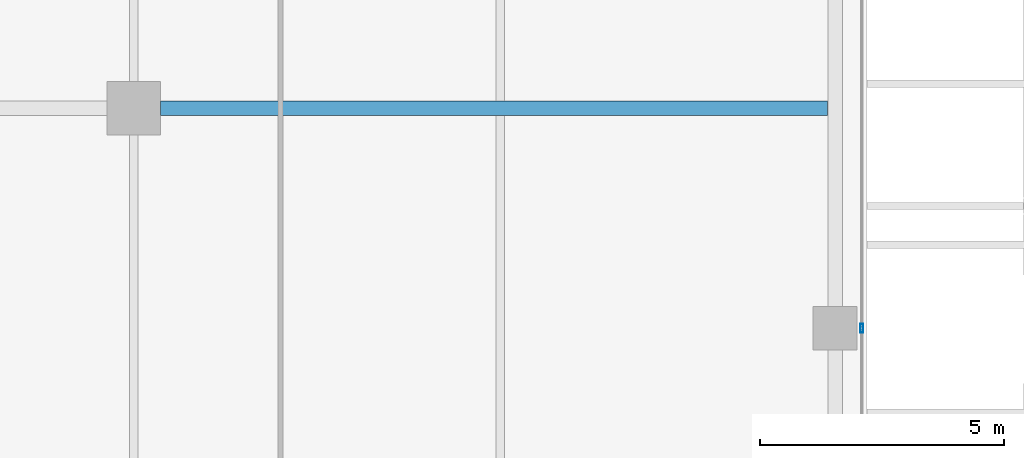
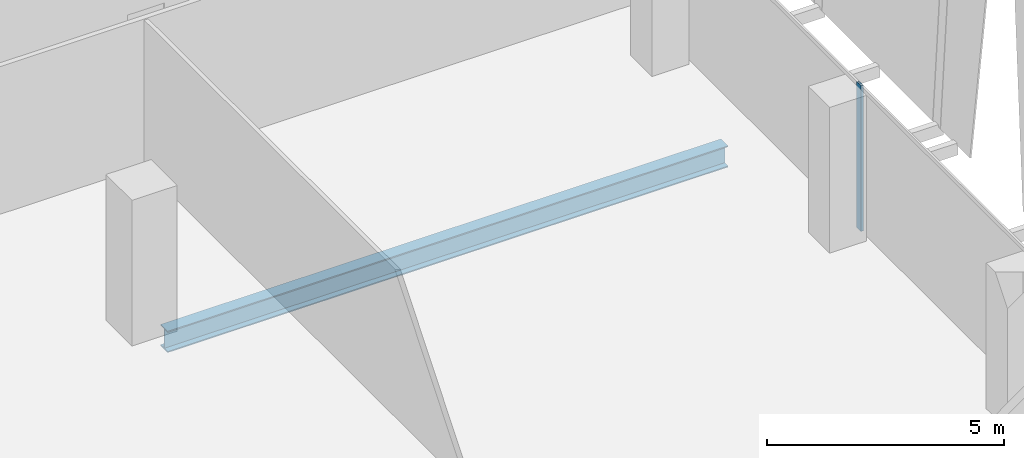
# One storey, part 12 of 35: 1 beam, 1 member, 1 element without a shape of its own.
"""IFC4 building model written with IfcOpenShell, lengths in metres."""

from ifc_helpers import new_model, si_unit, direction, frame, origin, origin_2d, place, context, subcontext, project, spatial, hollow_rectangle, i_section, extrude, source, transform, mapped, material, material_profile, profile_set, type_object, element, aggregate, save


model = new_model("IFC4")

# Units and contexts
model_context = context("Model", 3, precision=1e-05, world=origin(), true_north=direction((0.0, 1.0)))
body_context = subcontext(model_context, "Body", "Model", "MODEL_VIEW")
ifc_project = project(units=[si_unit("LENGTHUNIT", "METRE"), si_unit("AREAUNIT", "SQUARE_METRE"), si_unit("VOLUMEUNIT", "CUBIC_METRE"), si_unit("PLANEANGLEUNIT", "RADIAN"), si_unit("MASSUNIT", "GRAM", prefix="KILO")], contexts=[model_context])

# Site, building, storey
site_placement = place(None, origin())
site = spatial("IfcSite", under=ifc_project, at=site_placement, CompositionType="ELEMENT")
building_placement = place(site_placement, origin())
building = spatial("IfcBuilding", under=site, at=building_placement, Name="Khomas Fold Tower", CompositionType="ELEMENT")
storey_placement = place(building_placement, frame((0.0, 0.0, 266.199951171875)))
storey = spatial("IfcBuildingStorey", under=building, at=storey_placement, Name="L60", CompositionType="ELEMENT", Elevation=266.199951171875)

# Beam
ifc_material_1 = material(Name="Steel S355", Category="steel")
ifc_material_profile_1 = material_profile(ifc_material_1, i_section(OverallWidth=0.300048828125, OverallDepth=0.550048828125, WebThickness=0.014892578125, FlangeThickness=0.029052734375, at=origin_2d()), Name="HE 550 B")
ifc_profile_set_1 = profile_set([ifc_material_profile_1], Name="Steel S355")
beam_type = type_object("IfcBeamType", Name="HE 550 B beam GB4", PredefinedType="BEAM", material=ifc_profile_set_1)
shared_shape_1 = source(origin(), body_context, "Body", "SweptSolid", [
    extrude(i_section(OverallWidth=0.300048828125, OverallDepth=0.550048828125, WebThickness=0.014892578125, FlangeThickness=0.029052734375, at=origin_2d()), origin(), (0.0, 0.0, 1.0), 13.64990234375),
])
beam_placement = place(storey_placement, frame((35.050048828125, 31.5, -0.52490234375), z_axis=(1.0, 0.0, 0.0), x_axis=(0.0, 1.0, 0.0)))
element("IfcBeam", 1, at=beam_placement, inside=storey, type_object=beam_type, Name="GB4", PredefinedType="BEAM", context=body_context, shape_type="MappedRepresentation", body=[
    mapped(shared_shape_1, transform((0.0, 0.0, 0.0))),
])

# Curtain wall, member
ifc_material_2 = material(Name="Aluminium framed double glazing", Category="aluminium")
curtain_wall_type = type_object("IfcCurtainWallType", Name="SK-Unitised clear-glass wall, office floors CW2", PredefinedType="NOTDEFINED", material=ifc_material_2)
curtain_wall_placement = place(storey_placement, origin())
curtain_wall = element("IfcCurtainWall", 2, at=curtain_wall_placement, inside=storey, type_object=curtain_wall_type, Name="CW2 run L60 03-0", PredefinedType="NOTDEFINED")
ifc_material_3 = material(Name="Aluminium", Category="aluminium")
ifc_material_profile_2 = material_profile(ifc_material_3, hollow_rectangle(XDim=0.06005859375, YDim=0.179931640625, WallThickness=0.00390625, at=origin_2d()), Name="SK-Unitised clear-glass wall, office floors mullion CW2-M")
ifc_profile_set_2 = profile_set([ifc_material_profile_2], Name="Aluminium")
member_type = type_object("IfcMemberType", Name="SK-Unitised clear-glass wall, office floors mullion CW2-M", PredefinedType="MULLION", material=ifc_profile_set_2)
shared_shape_2 = source(origin(), body_context, "Body", "SweptSolid", [
    extrude(hollow_rectangle(XDim=0.06005859375, YDim=0.179931640625, WallThickness=0.00390625, at=origin_2d()), origin(), (0.0, 0.0, 1.0), 3.75),
])
member_placement = place(storey_placement, frame((49.39990234375, 27.0, 0.0), z_axis=(0.0, 0.0, 1.0), x_axis=(-1.0, 0.0, 0.0)))
member = element("IfcMember", 3, at=member_placement, type_object=member_type, Name="CW2 mullion 4", PredefinedType="MULLION", context=body_context, shape_type="MappedRepresentation", body=[
    mapped(shared_shape_2, transform((0.0, 0.0, 0.0))),
])
aggregate(curtain_wall, [member])

save(model, "model.ifc")
